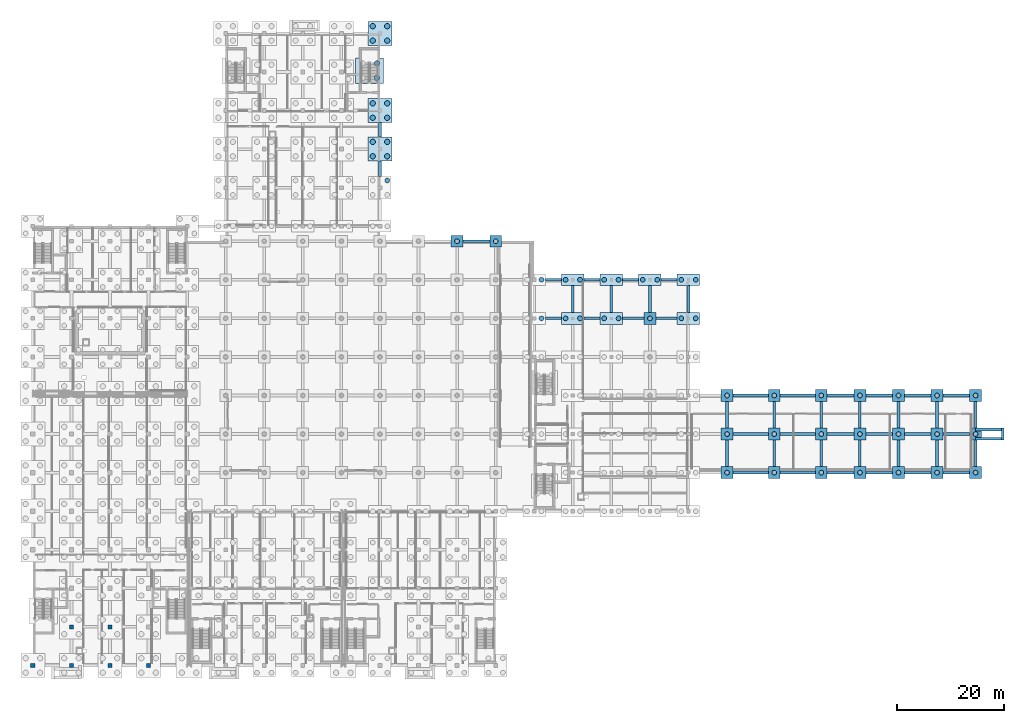
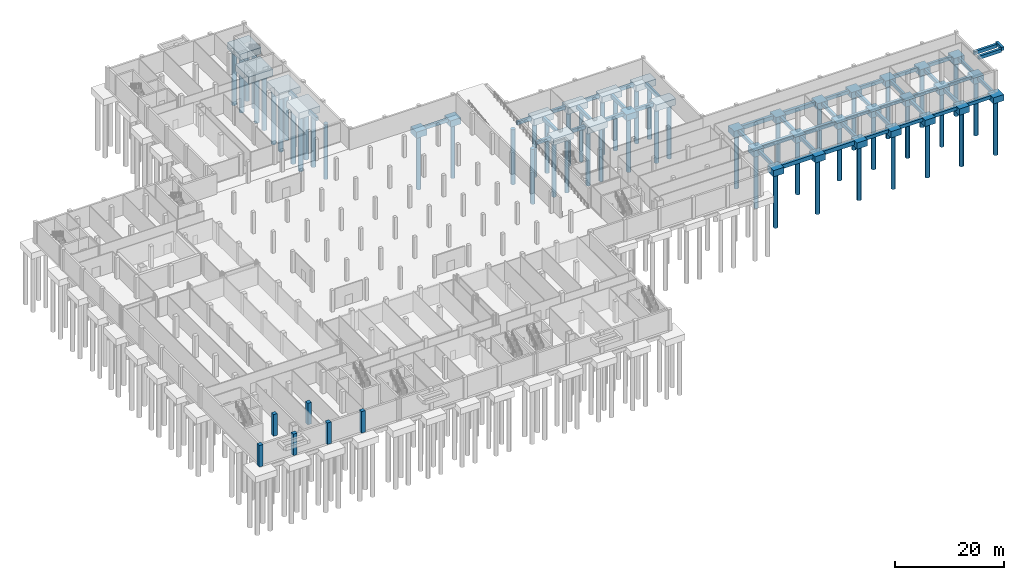
# One storey, part 8 of 35: 85 footings, 55 piles, 6 columns.
"""IFC4 building model written with IfcOpenShell, lengths in metres."""

from ifc_helpers import new_model, si_unit, direction, frame, origin, origin_2d, place, context, subcontext, project, spatial, rectangle, circle, extrude, material, material_profile, profile_set, type_object, element, save


model = new_model("IFC4")

# Units and contexts
model_context = context("Model", 3, precision=1e-05, world=origin(), true_north=direction((0.0, 1.0)))
body_context = subcontext(model_context, "Body", "Model", "MODEL_VIEW")
ifc_project = project(units=[si_unit("LENGTHUNIT", "METRE"), si_unit("AREAUNIT", "SQUARE_METRE"), si_unit("VOLUMEUNIT", "CUBIC_METRE"), si_unit("PLANEANGLEUNIT", "RADIAN"), si_unit("MASSUNIT", "GRAM", prefix="KILO")], contexts=[model_context])

# Site, building, storey
site_placement = place(None, origin())
site = spatial("IfcSite", under=ifc_project, at=site_placement, CompositionType="ELEMENT")
building_placement = place(site_placement, origin())
building = spatial("IfcBuilding", under=site, at=building_placement, Name="Zarrinpeak Specialist Clinic", CompositionType="ELEMENT")
storey_placement = place(building_placement, frame((0.0, 0.0, -4.800048828125)))
storey = spatial("IfcBuildingStorey", under=building, at=storey_placement, Name="B01", CompositionType="ELEMENT", Elevation=-4.800048828125)

# Footings
ifc_material = material(Name="Concrete C40/50", Category="concrete")
ifc_material_profile_1 = material_profile(ifc_material, rectangle(XDim=0.5, YDim=0.75, at=origin_2d()), Name="RC 500x750")
ifc_profile_set_1 = profile_set([ifc_material_profile_1], Name="Concrete C40/50")
footing_type_1 = type_object("IfcFootingType", Name="FT-GB1", PredefinedType="FOOTING_BEAM", material=ifc_profile_set_1)
for number, where, z_axis, x_axis, name in (
    (1, (148.300048828125, 36.0, -0.77490234375), (1.0, 0.0, 0.0), (0.0, 1.0, 0.0), "Continuous Ground Tie Beam GB-076"),
    (2, (155.5, 36.0, -0.77490234375), (1.0, 0.0, 0.0), (0.0, 1.0, 0.0), "Continuous Ground Tie Beam GB-077"),
    (3, (162.699951171875, 36.0, -0.77490234375), (1.0, 0.0, 0.0), (0.0, 1.0, 0.0), "Continuous Ground Tie Beam GB-078"),
    (4, (169.89990234375, 36.0, -0.77490234375), (1.0, 0.0, 0.0), (0.0, 1.0, 0.0), "Continuous Ground Tie Beam GB-079"),
    (5, (148.300048828125, 43.199951171875, -0.77490234375), (1.0, 0.0, 0.0), (0.0, 1.0, 0.0), "Continuous Ground Tie Beam GB-100"),
    (6, (155.5, 43.199951171875, -0.77490234375), (1.0, 0.0, 0.0), (0.0, 1.0, 0.0), "Continuous Ground Tie Beam GB-101"),
    (7, (162.699951171875, 43.199951171875, -0.77490234375), (1.0, 0.0, 0.0), (0.0, 1.0, 0.0), "Continuous Ground Tie Beam GB-102"),
    (8, (169.89990234375, 43.199951171875, -0.77490234375), (1.0, 0.0, 0.0), (0.0, 1.0, 0.0), "Continuous Ground Tie Beam GB-103"),
    (9, (148.300048828125, 50.39990234375, -0.77490234375), (1.0, 0.0, 0.0), (0.0, 1.0, 0.0), "Continuous Ground Tie Beam GB-117"),
    (10, (155.5, 50.39990234375, -0.77490234375), (1.0, 0.0, 0.0), (0.0, 1.0, 0.0), "Continuous Ground Tie Beam GB-118"),
    (11, (162.699951171875, 50.39990234375, -0.77490234375), (1.0, 0.0, 0.0), (0.0, 1.0, 0.0), "Continuous Ground Tie Beam GB-119"),
    (12, (169.89990234375, 50.39990234375, -0.77490234375), (1.0, 0.0, 0.0), (0.0, 1.0, 0.0), "Continuous Ground Tie Beam GB-120"),
):
    element("IfcFooting", number, at=place(storey_placement, frame(where, z_axis=z_axis, x_axis=x_axis)), inside=storey, type_object=footing_type_1, Name=name, PredefinedType="FOOTING_BEAM", context=body_context, shape_type="SweptSolid", body=[
        extrude(rectangle(XDim=0.5, YDim=0.75, at=origin_2d()), origin(), (0.0, 0.0, 1.0), 5.0),
    ])
for number, where, z_axis, x_axis, name in (
    (13, (95.699951171875, 64.800048828125, -0.77490234375), (1.0, 0.0, 0.0), (0.0, 1.0, 0.0), "Continuous Ground Tie Beam GB-155"),
    (14, (102.89990234375, 64.800048828125, -0.77490234375), (1.0, 0.0, 0.0), (0.0, 1.0, 0.0), "Continuous Ground Tie Beam GB-156"),
):
    element("IfcFooting", number, at=place(storey_placement, frame(where, z_axis=z_axis, x_axis=x_axis)), inside=storey, type_object=footing_type_1, Name=name, PredefinedType="FOOTING_BEAM", context=body_context, shape_type="SweptSolid", body=[
        extrude(rectangle(XDim=0.5, YDim=0.75, at=origin_2d()), origin(), (0.0, 0.0, 1.0), 3.0),
    ])
for number, where, z_axis, x_axis, name in (
    (15, (110.10009765625, 64.800048828125, -0.77490234375), (1.0, 0.0, 0.0), (0.0, 1.0, 0.0), "Continuous Ground Tie Beam GB-157"),
    (16, (116.300048828125, 64.800048828125, -0.77490234375), (1.0, 0.0, 0.0), (0.0, 1.0, 0.0), "Continuous Ground Tie Beam GB-158"),
):
    element("IfcFooting", number, at=place(storey_placement, frame(where, z_axis=z_axis, x_axis=x_axis)), inside=storey, type_object=footing_type_1, Name=name, PredefinedType="FOOTING_BEAM", context=body_context, shape_type="SweptSolid", body=[
        extrude(rectangle(XDim=0.5, YDim=0.75, at=origin_2d()), origin(), (0.0, 0.0, 1.0), 4.0),
    ])
for number, where, z_axis, x_axis, name in (
    (17, (95.699951171875, 72.0, -0.77490234375), (1.0, 0.0, 0.0), (0.0, 1.0, 0.0), "Continuous Ground Tie Beam GB-172"),
    (18, (102.89990234375, 72.0, -0.77490234375), (1.0, 0.0, 0.0), (0.0, 1.0, 0.0), "Continuous Ground Tie Beam GB-173"),
    (19, (110.10009765625, 72.0, -0.77490234375), (1.0, 0.0, 0.0), (0.0, 1.0, 0.0), "Continuous Ground Tie Beam GB-174"),
    (20, (117.300048828125, 72.0, -0.77490234375), (1.0, 0.0, 0.0), (0.0, 1.0, 0.0), "Continuous Ground Tie Beam GB-175"),
):
    element("IfcFooting", number, at=place(storey_placement, frame(where, z_axis=z_axis, x_axis=x_axis)), inside=storey, type_object=footing_type_1, Name=name, PredefinedType="FOOTING_BEAM", context=body_context, shape_type="SweptSolid", body=[
        extrude(rectangle(XDim=0.5, YDim=0.75, at=origin_2d()), origin(), (0.0, 0.0, 1.0), 3.0),
    ])
footing_1_placement = place(storey_placement, frame((80.300048828125, 79.199951171875, -0.77490234375), z_axis=(1.0, 0.0, 0.0), x_axis=(0.0, 1.0, 0.0)))
element("IfcFooting", 21, at=footing_1_placement, inside=storey, type_object=footing_type_1, Name="Continuous Ground Tie Beam GB-184", PredefinedType="FOOTING_BEAM", context=body_context, shape_type="SweptSolid", body=[
    extrude(rectangle(XDim=0.5, YDim=0.75, at=origin_2d()), origin(), (0.0, 0.0, 1.0), 5.0),
])
footing_2_placement = place(storey_placement, frame((64.800048828125, 91.300048828125, -0.77490234375), z_axis=(0.0, 1.0, 0.0), x_axis=(-1.0, 0.0, 0.0)))
element("IfcFooting", 22, at=footing_2_placement, inside=storey, type_object=footing_type_1, Name="Continuous Ground Tie Beam GB-323", PredefinedType="FOOTING_BEAM", context=body_context, shape_type="SweptSolid", body=[
    extrude(rectangle(XDim=0.5, YDim=0.75, at=origin_2d()), origin(), (0.0, 0.0, 1.0), 2.849853515625),
])
footing_3_placement = place(storey_placement, frame((64.800048828125, 98.64990234375, -0.77490234375), z_axis=(0.0, 1.0, 0.0), x_axis=(-1.0, 0.0, 0.0)))
element("IfcFooting", 23, at=footing_3_placement, inside=storey, type_object=footing_type_1, Name="Continuous Ground Tie Beam GB-324", PredefinedType="FOOTING_BEAM", context=body_context, shape_type="SweptSolid", body=[
    extrude(rectangle(XDim=0.5, YDim=0.75, at=origin_2d()), origin(), (0.0, 0.0, 1.0), 2.7001953125),
])
for number, where, z_axis, x_axis, name in (
    (24, (100.800048828125, 65.89990234375, -0.77490234375), (0.0, 1.0, 0.0), (-1.0, 0.0, 0.0), "Continuous Ground Tie Beam GB-363"),
    (25, (108.0, 65.89990234375, -0.77490234375), (0.0, 1.0, 0.0), (-1.0, 0.0, 0.0), "Continuous Ground Tie Beam GB-369"),
    (26, (115.199951171875, 65.89990234375, -0.77490234375), (0.0, 1.0, 0.0), (-1.0, 0.0, 0.0), "Continuous Ground Tie Beam GB-375"),
    (27, (122.39990234375, 65.89990234375, -0.77490234375), (0.0, 1.0, 0.0), (-1.0, 0.0, 0.0), "Continuous Ground Tie Beam GB-381"),
    (28, (129.60009765625, 37.10009765625, -0.77490234375), (0.0, 1.0, 0.0), (-1.0, 0.0, 0.0), "Continuous Ground Tie Beam GB-382"),
    (29, (129.60009765625, 44.300048828125, -0.77490234375), (0.0, 1.0, 0.0), (-1.0, 0.0, 0.0), "Continuous Ground Tie Beam GB-383"),
    (30, (138.39990234375, 37.10009765625, -0.77490234375), (0.0, 1.0, 0.0), (-1.0, 0.0, 0.0), "Continuous Ground Tie Beam GB-384"),
    (31, (138.39990234375, 44.300048828125, -0.77490234375), (0.0, 1.0, 0.0), (-1.0, 0.0, 0.0), "Continuous Ground Tie Beam GB-385"),
    (32, (147.199951171875, 37.10009765625, -0.77490234375), (0.0, 1.0, 0.0), (-1.0, 0.0, 0.0), "Continuous Ground Tie Beam GB-386"),
    (33, (147.199951171875, 44.300048828125, -0.77490234375), (0.0, 1.0, 0.0), (-1.0, 0.0, 0.0), "Continuous Ground Tie Beam GB-387"),
    (34, (154.39990234375, 37.10009765625, -0.77490234375), (0.0, 1.0, 0.0), (-1.0, 0.0, 0.0), "Continuous Ground Tie Beam GB-388"),
    (35, (154.39990234375, 44.300048828125, -0.77490234375), (0.0, 1.0, 0.0), (-1.0, 0.0, 0.0), "Continuous Ground Tie Beam GB-389"),
    (36, (161.60009765625, 37.10009765625, -0.77490234375), (0.0, 1.0, 0.0), (-1.0, 0.0, 0.0), "Continuous Ground Tie Beam GB-390"),
    (37, (161.60009765625, 44.300048828125, -0.77490234375), (0.0, 1.0, 0.0), (-1.0, 0.0, 0.0), "Continuous Ground Tie Beam GB-391"),
    (38, (168.800048828125, 37.10009765625, -0.77490234375), (0.0, 1.0, 0.0), (-1.0, 0.0, 0.0), "Continuous Ground Tie Beam GB-392"),
    (39, (168.800048828125, 44.300048828125, -0.77490234375), (0.0, 1.0, 0.0), (-1.0, 0.0, 0.0), "Continuous Ground Tie Beam GB-393"),
    (40, (176.0, 37.10009765625, -0.77490234375), (0.0, 1.0, 0.0), (-1.0, 0.0, 0.0), "Continuous Ground Tie Beam GB-394"),
    (41, (176.0, 44.300048828125, -0.77490234375), (0.0, 1.0, 0.0), (-1.0, 0.0, 0.0), "Continuous Ground Tie Beam GB-395"),
):
    element("IfcFooting", number, at=place(storey_placement, frame(where, z_axis=z_axis, x_axis=x_axis)), inside=storey, type_object=footing_type_1, Name=name, PredefinedType="FOOTING_BEAM", context=body_context, shape_type="SweptSolid", body=[
        extrude(rectangle(XDim=0.5, YDim=0.75, at=origin_2d()), origin(), (0.0, 0.0, 1.0), 5.0),
    ])
footing_4_placement = place(storey_placement, frame((181.050048828125, 42.10009765625, 4.025146484375), z_axis=(0.0, 1.0, 0.0), x_axis=(-1.0, 0.0, 0.0)))
element("IfcFooting", 42, at=footing_4_placement, inside=storey, type_object=footing_type_1, Name="Accessible Ramp Tie Footing Beam GB-R-ACC4", PredefinedType="FOOTING_BEAM", context=body_context, shape_type="SweptSolid", body=[
    extrude(rectangle(XDim=0.5, YDim=0.75, at=origin_2d()), origin(), (0.0, 0.0, 1.0), 2.199951171875),
])
for number, where, z_axis, x_axis, name in (
    (43, (176.0, 42.35009765625, 3.72509765625), (1.0, 0.0, 0.0), (0.0, 1.0, 0.0), "Accessible Ramp Tie Footing Beam GB-R-ACC4-S"),
    (44, (176.0, 44.050048828125, 3.72509765625), (1.0, 0.0, 0.0), (0.0, 1.0, 0.0), "Accessible Ramp Tie Footing Beam GB-R-ACC4-N"),
):
    element("IfcFooting", number, at=place(storey_placement, frame(where, z_axis=z_axis, x_axis=x_axis)), inside=storey, type_object=footing_type_1, Name=name, PredefinedType="FOOTING_BEAM", context=body_context, shape_type="SweptSolid", body=[
        extrude(rectangle(XDim=0.5, YDim=0.75, at=origin_2d()), origin(), (0.0, 0.0, 1.0), 4.800048828125),
    ])
ifc_material_profile_2 = material_profile(ifc_material, rectangle(XDim=0.60009765625, YDim=0.89990234375, at=origin_2d()), Name="RC 600x900")
ifc_profile_set_2 = profile_set([ifc_material_profile_2], Name="Concrete C40/50")
footing_type_2 = type_object("IfcFootingType", Name="FT-GB2", PredefinedType="FOOTING_BEAM", material=ifc_profile_set_2)
for number, where, z_axis, x_axis, name in (
    (45, (130.699951171875, 36.0, -0.849853515625), (1.0, 0.0, 0.0), (0.0, 1.0, 0.0), "Continuous Ground Tie Beam GB-074"),
    (46, (139.5, 36.0, -0.849853515625), (1.0, 0.0, 0.0), (0.0, 1.0, 0.0), "Continuous Ground Tie Beam GB-075"),
    (47, (130.699951171875, 43.199951171875, -0.849853515625), (1.0, 0.0, 0.0), (0.0, 1.0, 0.0), "Continuous Ground Tie Beam GB-098"),
    (48, (139.5, 43.199951171875, -0.849853515625), (1.0, 0.0, 0.0), (0.0, 1.0, 0.0), "Continuous Ground Tie Beam GB-099"),
    (49, (130.699951171875, 50.39990234375, -0.849853515625), (1.0, 0.0, 0.0), (0.0, 1.0, 0.0), "Continuous Ground Tie Beam GB-115"),
    (50, (139.5, 50.39990234375, -0.849853515625), (1.0, 0.0, 0.0), (0.0, 1.0, 0.0), "Continuous Ground Tie Beam GB-116"),
):
    element("IfcFooting", number, at=place(storey_placement, frame(where, z_axis=z_axis, x_axis=x_axis)), inside=storey, type_object=footing_type_2, Name=name, PredefinedType="FOOTING_BEAM", context=body_context, shape_type="SweptSolid", body=[
        extrude(rectangle(XDim=0.60009765625, YDim=0.89990234375, at=origin_2d()), origin(), (0.0, 0.0, 1.0), 6.60009765625),
    ])
footing_type_3 = type_object("IfcFootingType", Name="FT-PC1", PredefinedType="PILE_CAP", material=ifc_material)
for number, where, z_axis, x_axis, name in (
    (51, (79.199951171875, 79.199951171875, -1.7998046875), (0.0, 0.0, 1.0), (1.0, 0.0, 0.0), "Combined Pile Cap CAP-167 (B01-C1)"),
    (52, (86.39990234375, 79.199951171875, -1.7998046875), (0.0, 0.0, 1.0), (1.0, 0.0, 0.0), "Combined Pile Cap CAP-178 (B01-C1)"),
    (53, (115.199951171875, 64.800048828125, -1.7998046875), (0.0, 0.0, 1.0), (1.0, 0.0, 0.0), "Combined Pile Cap CAP-203 (V3)"),
    (54, (129.60009765625, 36.0, -1.7998046875), (0.0, 0.0, 1.0), (1.0, 0.0, 0.0), "Combined Pile Cap CAP-212 (B01-C2)"),
    (55, (129.60009765625, 43.199951171875, -1.7998046875), (0.0, 0.0, 1.0), (1.0, 0.0, 0.0), "Combined Pile Cap CAP-213 (B01-C2)"),
    (56, (129.60009765625, 50.39990234375, -1.7998046875), (0.0, 0.0, 1.0), (1.0, 0.0, 0.0), "Combined Pile Cap CAP-214 (B01-C2)"),
    (57, (138.39990234375, 36.0, -1.7998046875), (0.0, 0.0, 1.0), (1.0, 0.0, 0.0), "Combined Pile Cap CAP-215 (B01-C2)"),
    (58, (138.39990234375, 43.199951171875, -1.7998046875), (0.0, 0.0, 1.0), (1.0, 0.0, 0.0), "Combined Pile Cap CAP-216 (B01-C2)"),
    (59, (138.39990234375, 50.39990234375, -1.7998046875), (0.0, 0.0, 1.0), (1.0, 0.0, 0.0), "Combined Pile Cap CAP-217 (B01-C2)"),
    (60, (147.199951171875, 36.0, -1.7998046875), (0.0, 0.0, 1.0), (1.0, 0.0, 0.0), "Combined Pile Cap CAP-218 (B01-C2)"),
    (61, (147.199951171875, 43.199951171875, -1.7998046875), (0.0, 0.0, 1.0), (1.0, 0.0, 0.0), "Combined Pile Cap CAP-219 (B01-C2)"),
    (62, (147.199951171875, 50.39990234375, -1.7998046875), (0.0, 0.0, 1.0), (1.0, 0.0, 0.0), "Combined Pile Cap CAP-220 (B01-C2)"),
    (63, (154.39990234375, 36.0, -1.7998046875), (0.0, 0.0, 1.0), (1.0, 0.0, 0.0), "Combined Pile Cap CAP-221 (B01-C2)"),
    (64, (154.39990234375, 43.199951171875, -1.7998046875), (0.0, 0.0, 1.0), (1.0, 0.0, 0.0), "Combined Pile Cap CAP-222 (B01-C2)"),
    (65, (154.39990234375, 50.39990234375, -1.7998046875), (0.0, 0.0, 1.0), (1.0, 0.0, 0.0), "Combined Pile Cap CAP-223 (B01-C2)"),
    (66, (161.60009765625, 36.0, -1.7998046875), (0.0, 0.0, 1.0), (1.0, 0.0, 0.0), "Combined Pile Cap CAP-224 (B01-C2)"),
    (67, (161.60009765625, 43.199951171875, -1.7998046875), (0.0, 0.0, 1.0), (1.0, 0.0, 0.0), "Combined Pile Cap CAP-225 (B01-C2)"),
    (68, (161.60009765625, 50.39990234375, -1.7998046875), (0.0, 0.0, 1.0), (1.0, 0.0, 0.0), "Combined Pile Cap CAP-226 (B01-C2)"),
    (69, (168.800048828125, 36.0, -1.7998046875), (0.0, 0.0, 1.0), (1.0, 0.0, 0.0), "Combined Pile Cap CAP-227 (B01-C2)"),
    (70, (168.800048828125, 43.199951171875, -1.7998046875), (0.0, 0.0, 1.0), (1.0, 0.0, 0.0), "Combined Pile Cap CAP-228 (B01-C2)"),
    (71, (168.800048828125, 50.39990234375, -1.7998046875), (0.0, 0.0, 1.0), (1.0, 0.0, 0.0), "Combined Pile Cap CAP-229 (B01-C2)"),
    (72, (176.0, 36.0, -1.7998046875), (0.0, 0.0, 1.0), (1.0, 0.0, 0.0), "Combined Pile Cap CAP-230 (B01-C2)"),
    (73, (176.0, 43.199951171875, -1.7998046875), (0.0, 0.0, 1.0), (1.0, 0.0, 0.0), "Combined Pile Cap CAP-231 (B01-C2)"),
    (74, (176.0, 50.39990234375, -1.7998046875), (0.0, 0.0, 1.0), (1.0, 0.0, 0.0), "Combined Pile Cap CAP-232 (B01-C2)"),
):
    element("IfcFooting", number, at=place(storey_placement, frame(where, z_axis=z_axis, x_axis=x_axis)), inside=storey, type_object=footing_type_3, Name=name, PredefinedType="PILE_CAP", context=body_context, shape_type="SweptSolid", body=[
        extrude(rectangle(XDim=2.199951171875, YDim=2.199951171875, at=origin_2d()), origin(), (0.0, 0.0, 1.0), 1.39990234375),
    ])
footing_type_4 = type_object("IfcFootingType", Name="FT-PC2", PredefinedType="PILE_CAP", material=ifc_material)
for number, where, z_axis, x_axis, name in (
    (75, (100.800048828125, 64.800048828125, -1.7998046875), (0.0, 0.0, 1.0), (1.0, 0.0, 0.0), "Combined Pile Cap CAP-189 (V3)"),
    (76, (100.800048828125, 72.0, -1.7998046875), (0.0, 0.0, 1.0), (1.0, 0.0, 0.0), "Combined Pile Cap CAP-190 (V3)"),
    (77, (108.0, 64.800048828125, -1.7998046875), (0.0, 0.0, 1.0), (1.0, 0.0, 0.0), "Combined Pile Cap CAP-196 (V3)"),
    (78, (108.0, 72.0, -1.7998046875), (0.0, 0.0, 1.0), (1.0, 0.0, 0.0), "Combined Pile Cap CAP-197 (V3)"),
    (79, (115.199951171875, 72.0, -1.7998046875), (0.0, 0.0, 1.0), (1.0, 0.0, 0.0), "Combined Pile Cap CAP-204 (V3)"),
    (80, (122.39990234375, 64.800048828125, -1.7998046875), (0.0, 0.0, 1.0), (1.0, 0.0, 0.0), "Combined Pile Cap CAP-210 (V3)"),
    (81, (122.39990234375, 72.0, -1.7998046875), (0.0, 0.0, 1.0), (1.0, 0.0, 0.0), "Combined Pile Cap CAP-211 (V3)"),
):
    element("IfcFooting", number, at=place(storey_placement, frame(where, z_axis=z_axis, x_axis=x_axis)), inside=storey, type_object=footing_type_4, Name=name, PredefinedType="PILE_CAP", context=body_context, shape_type="SweptSolid", body=[
        extrude(rectangle(XDim=4.199951171875, YDim=2.199951171875, at=origin_2d()), origin(), (0.0, 0.0, 1.0), 1.39990234375),
    ])
footing_type_5 = type_object("IfcFootingType", Name="FT-PC4", PredefinedType="PILE_CAP", material=ifc_material)
for number, where, z_axis, x_axis, name in (
    (82, (64.800048828125, 96.39990234375, -1.7998046875), (0.0, 0.0, 1.0), (1.0, 0.0, 0.0), "Combined Pile Cap CAP-141 (V6)"),
    (83, (64.800048828125, 103.60009765625, -1.7998046875), (0.0, 0.0, 1.0), (1.0, 0.0, 0.0), "Combined Pile Cap CAP-142 (V6)"),
    (84, (64.800048828125, 118.0, -1.7998046875), (0.0, 0.0, 1.0), (1.0, 0.0, 0.0), "Combined Pile Cap CAP-143 (V6)"),
):
    element("IfcFooting", number, at=place(storey_placement, frame(where, z_axis=z_axis, x_axis=x_axis)), inside=storey, type_object=footing_type_5, Name=name, PredefinedType="PILE_CAP", context=body_context, shape_type="SweptSolid", body=[
        extrude(rectangle(XDim=4.5, YDim=4.5, at=origin_2d()), origin(), (0.0, 0.0, 1.0), 1.39990234375),
    ])
footing_type_6 = type_object("IfcFootingType", Name="FT-PC6", PredefinedType="PILE_CAP", material=ifc_material)
footing_5_placement = place(storey_placement, frame((62.875, 111.050048828125, -1.89990234375), z_axis=(0.0, 0.0, 1.0), x_axis=(1.0, 0.0, 0.0)))
element("IfcFooting", 85, at=footing_5_placement, inside=storey, type_object=footing_type_6, Name="Core Combined Pile Cap CAP-CORE-12", PredefinedType="PILE_CAP", context=body_context, shape_type="SweptSolid", body=[
    extrude(rectangle(XDim=5.199951171875, YDim=4.800048828125, at=origin_2d()), origin(), (0.0, 0.0, 1.0), 1.5),
])

# Piles
ifc_material_profile_3 = material_profile(ifc_material, circle(Radius=0.5, at=origin_2d()), Name="BORED PILE D1000")
ifc_profile_set_3 = profile_set([ifc_material_profile_3], Name="Concrete C40/50")
pile_type_1 = type_object("IfcPileType", Name="PL-D1000", PredefinedType="BORED", material=ifc_profile_set_3)
for number, where, z_axis, x_axis, name in (
    (86, (63.449951171875, 95.050048828125, -1.699951171875), (0.0, 0.0, -1.0), (1.0, 0.0, 0.0), "Bored Foundation Pile FP-141-1"),
    (87, (66.14990234375, 95.050048828125, -1.699951171875), (0.0, 0.0, -1.0), (1.0, 0.0, 0.0), "Bored Foundation Pile FP-141-2"),
    (88, (63.449951171875, 97.75, -1.699951171875), (0.0, 0.0, -1.0), (1.0, 0.0, 0.0), "Bored Foundation Pile FP-141-3"),
    (89, (66.14990234375, 97.75, -1.699951171875), (0.0, 0.0, -1.0), (1.0, 0.0, 0.0), "Bored Foundation Pile FP-141-4"),
    (90, (63.449951171875, 102.25, -1.699951171875), (0.0, 0.0, -1.0), (1.0, 0.0, 0.0), "Bored Foundation Pile FP-142-1"),
    (91, (66.14990234375, 102.25, -1.699951171875), (0.0, 0.0, -1.0), (1.0, 0.0, 0.0), "Bored Foundation Pile FP-142-2"),
    (92, (63.449951171875, 104.949951171875, -1.699951171875), (0.0, 0.0, -1.0), (1.0, 0.0, 0.0), "Bored Foundation Pile FP-142-3"),
    (93, (66.14990234375, 104.949951171875, -1.699951171875), (0.0, 0.0, -1.0), (1.0, 0.0, 0.0), "Bored Foundation Pile FP-142-4"),
    (94, (63.449951171875, 116.64990234375, -1.699951171875), (0.0, 0.0, -1.0), (1.0, 0.0, 0.0), "Bored Foundation Pile FP-143-1"),
    (95, (66.14990234375, 116.64990234375, -1.699951171875), (0.0, 0.0, -1.0), (1.0, 0.0, 0.0), "Bored Foundation Pile FP-143-2"),
    (96, (63.449951171875, 119.35009765625, -1.699951171875), (0.0, 0.0, -1.0), (1.0, 0.0, 0.0), "Bored Foundation Pile FP-143-3"),
    (97, (66.14990234375, 119.35009765625, -1.699951171875), (0.0, 0.0, -1.0), (1.0, 0.0, 0.0), "Bored Foundation Pile FP-143-4"),
):
    element("IfcPile", number, at=place(storey_placement, frame(where, z_axis=z_axis, x_axis=x_axis)), inside=storey, type_object=pile_type_1, Name=name, PredefinedType="BORED", context=body_context, shape_type="SweptSolid", body=[
        extrude(circle(Radius=0.5, at=origin_2d()), origin(), (0.0, 0.0, 1.0), 12.300048828125),
    ])
for number, where, z_axis, x_axis, name in (
    (98, (64.22509765625, 109.699951171875, -1.800048828125), (0.0, 0.0, -1.0), (1.0, 0.0, 0.0), "Core Bored Pile FP-CORE-12-2"),
    (99, (64.22509765625, 112.39990234375, -1.800048828125), (0.0, 0.0, -1.0), (1.0, 0.0, 0.0), "Core Bored Pile FP-CORE-12-4"),
):
    element("IfcPile", number, at=place(storey_placement, frame(where, z_axis=z_axis, x_axis=x_axis)), inside=storey, type_object=pile_type_1, Name=name, PredefinedType="BORED", context=body_context, shape_type="SweptSolid", body=[
        extrude(circle(Radius=0.5, at=origin_2d()), origin(), (0.0, 0.0, 1.0), 12.199951171875),
    ])
ifc_material_profile_4 = material_profile(ifc_material, circle(Radius=0.449951171875, at=origin_2d()), Name="BORED PILE D900")
ifc_profile_set_4 = profile_set([ifc_material_profile_4], Name="Concrete C40/50")
pile_type_2 = type_object("IfcPileType", Name="PL-D900", PredefinedType="BORED", material=ifc_profile_set_4)
for number, where, z_axis, x_axis, name in (
    (100, (66.14990234375, 90.550048828125, -1.699951171875), (0.0, 0.0, -1.0), (1.0, 0.0, 0.0), "Bored Foundation Pile FP-140-4"),
    (101, (79.199951171875, 79.199951171875, -1.699951171875), (0.0, 0.0, -1.0), (1.0, 0.0, 0.0), "Bored Foundation Pile FP-167-1"),
    (102, (86.39990234375, 79.199951171875, -1.699951171875), (0.0, 0.0, -1.0), (1.0, 0.0, 0.0), "Bored Foundation Pile FP-178-1"),
    (103, (94.949951171875, 64.800048828125, -1.699951171875), (0.0, 0.0, -1.0), (1.0, 0.0, 0.0), "Bored Foundation Pile FP-182-2"),
    (104, (94.949951171875, 72.0, -1.699951171875), (0.0, 0.0, -1.0), (1.0, 0.0, 0.0), "Bored Foundation Pile FP-183-2"),
    (105, (99.449951171875, 64.800048828125, -1.699951171875), (0.0, 0.0, -1.0), (1.0, 0.0, 0.0), "Bored Foundation Pile FP-189-1"),
    (106, (102.14990234375, 64.800048828125, -1.699951171875), (0.0, 0.0, -1.0), (1.0, 0.0, 0.0), "Bored Foundation Pile FP-189-2"),
    (107, (99.449951171875, 72.0, -1.699951171875), (0.0, 0.0, -1.0), (1.0, 0.0, 0.0), "Bored Foundation Pile FP-190-1"),
    (108, (102.14990234375, 72.0, -1.699951171875), (0.0, 0.0, -1.0), (1.0, 0.0, 0.0), "Bored Foundation Pile FP-190-2"),
    (109, (106.64990234375, 64.800048828125, -1.699951171875), (0.0, 0.0, -1.0), (1.0, 0.0, 0.0), "Bored Foundation Pile FP-196-1"),
    (110, (109.35009765625, 64.800048828125, -1.699951171875), (0.0, 0.0, -1.0), (1.0, 0.0, 0.0), "Bored Foundation Pile FP-196-2"),
    (111, (106.64990234375, 72.0, -1.699951171875), (0.0, 0.0, -1.0), (1.0, 0.0, 0.0), "Bored Foundation Pile FP-197-1"),
    (112, (109.35009765625, 72.0, -1.699951171875), (0.0, 0.0, -1.0), (1.0, 0.0, 0.0), "Bored Foundation Pile FP-197-2"),
    (113, (115.199951171875, 64.800048828125, -1.699951171875), (0.0, 0.0, -1.0), (1.0, 0.0, 0.0), "Bored Foundation Pile FP-203-1"),
    (114, (113.85009765625, 72.0, -1.699951171875), (0.0, 0.0, -1.0), (1.0, 0.0, 0.0), "Bored Foundation Pile FP-204-1"),
    (115, (116.550048828125, 72.0, -1.699951171875), (0.0, 0.0, -1.0), (1.0, 0.0, 0.0), "Bored Foundation Pile FP-204-2"),
    (116, (121.050048828125, 64.800048828125, -1.699951171875), (0.0, 0.0, -1.0), (1.0, 0.0, 0.0), "Bored Foundation Pile FP-210-1"),
    (117, (123.75, 64.800048828125, -1.699951171875), (0.0, 0.0, -1.0), (1.0, 0.0, 0.0), "Bored Foundation Pile FP-210-2"),
    (118, (121.050048828125, 72.0, -1.699951171875), (0.0, 0.0, -1.0), (1.0, 0.0, 0.0), "Bored Foundation Pile FP-211-1"),
    (119, (123.75, 72.0, -1.699951171875), (0.0, 0.0, -1.0), (1.0, 0.0, 0.0), "Bored Foundation Pile FP-211-2"),
    (120, (129.60009765625, 36.0, -1.699951171875), (0.0, 0.0, -1.0), (1.0, 0.0, 0.0), "Bored Foundation Pile FP-212-1"),
    (121, (129.60009765625, 43.199951171875, -1.699951171875), (0.0, 0.0, -1.0), (1.0, 0.0, 0.0), "Bored Foundation Pile FP-213-1"),
    (122, (129.60009765625, 50.39990234375, -1.699951171875), (0.0, 0.0, -1.0), (1.0, 0.0, 0.0), "Bored Foundation Pile FP-214-1"),
    (123, (138.39990234375, 36.0, -1.699951171875), (0.0, 0.0, -1.0), (1.0, 0.0, 0.0), "Bored Foundation Pile FP-215-1"),
    (124, (138.39990234375, 43.199951171875, -1.699951171875), (0.0, 0.0, -1.0), (1.0, 0.0, 0.0), "Bored Foundation Pile FP-216-1"),
    (125, (138.39990234375, 50.39990234375, -1.699951171875), (0.0, 0.0, -1.0), (1.0, 0.0, 0.0), "Bored Foundation Pile FP-217-1"),
    (126, (147.199951171875, 36.0, -1.699951171875), (0.0, 0.0, -1.0), (1.0, 0.0, 0.0), "Bored Foundation Pile FP-218-1"),
    (127, (147.199951171875, 43.199951171875, -1.699951171875), (0.0, 0.0, -1.0), (1.0, 0.0, 0.0), "Bored Foundation Pile FP-219-1"),
    (128, (147.199951171875, 50.39990234375, -1.699951171875), (0.0, 0.0, -1.0), (1.0, 0.0, 0.0), "Bored Foundation Pile FP-220-1"),
    (129, (154.39990234375, 36.0, -1.699951171875), (0.0, 0.0, -1.0), (1.0, 0.0, 0.0), "Bored Foundation Pile FP-221-1"),
    (130, (154.39990234375, 43.199951171875, -1.699951171875), (0.0, 0.0, -1.0), (1.0, 0.0, 0.0), "Bored Foundation Pile FP-222-1"),
    (131, (154.39990234375, 50.39990234375, -1.699951171875), (0.0, 0.0, -1.0), (1.0, 0.0, 0.0), "Bored Foundation Pile FP-223-1"),
    (132, (161.60009765625, 36.0, -1.699951171875), (0.0, 0.0, -1.0), (1.0, 0.0, 0.0), "Bored Foundation Pile FP-224-1"),
    (133, (161.60009765625, 43.199951171875, -1.699951171875), (0.0, 0.0, -1.0), (1.0, 0.0, 0.0), "Bored Foundation Pile FP-225-1"),
    (134, (161.60009765625, 50.39990234375, -1.699951171875), (0.0, 0.0, -1.0), (1.0, 0.0, 0.0), "Bored Foundation Pile FP-226-1"),
    (135, (168.800048828125, 36.0, -1.699951171875), (0.0, 0.0, -1.0), (1.0, 0.0, 0.0), "Bored Foundation Pile FP-227-1"),
    (136, (168.800048828125, 43.199951171875, -1.699951171875), (0.0, 0.0, -1.0), (1.0, 0.0, 0.0), "Bored Foundation Pile FP-228-1"),
    (137, (168.800048828125, 50.39990234375, -1.699951171875), (0.0, 0.0, -1.0), (1.0, 0.0, 0.0), "Bored Foundation Pile FP-229-1"),
    (138, (176.0, 36.0, -1.699951171875), (0.0, 0.0, -1.0), (1.0, 0.0, 0.0), "Bored Foundation Pile FP-230-1"),
    (139, (176.0, 43.199951171875, -1.699951171875), (0.0, 0.0, -1.0), (1.0, 0.0, 0.0), "Bored Foundation Pile FP-231-1"),
    (140, (176.0, 50.39990234375, -1.699951171875), (0.0, 0.0, -1.0), (1.0, 0.0, 0.0), "Bored Foundation Pile FP-232-1"),
):
    element("IfcPile", number, at=place(storey_placement, frame(where, z_axis=z_axis, x_axis=x_axis)), inside=storey, type_object=pile_type_2, Name=name, PredefinedType="BORED", context=body_context, shape_type="SweptSolid", body=[
        extrude(circle(Radius=0.449951171875, at=origin_2d()), origin(), (0.0, 0.0, 1.0), 12.300048828125),
    ])

# Columns
ifc_material_profile_5 = material_profile(ifc_material, rectangle(XDim=0.800048828125, YDim=0.800048828125, at=origin_2d()), Name="RC 800x800")
ifc_profile_set_5 = profile_set([ifc_material_profile_5], Name="Concrete C40/50")
column_type = type_object("IfcColumnType", Name="COL-RC800", PredefinedType="COLUMN", material=ifc_profile_set_5)
for number, where, z_axis, x_axis, name in (
    (141, (0.0, 0.0, 0.0), (0.0, 0.0, 1.0), (1.0, 0.0, 0.0), "B01 Structural Column COL-B01-001"),
    (142, (7.199951171875, 0.0, 0.0), (0.0, 0.0, 1.0), (1.0, 0.0, 0.0), "B01 Structural Column COL-B01-012"),
    (143, (7.199951171875, 7.199951171875, 0.0), (0.0, 0.0, 1.0), (1.0, 0.0, 0.0), "B01 Structural Column COL-B01-013"),
    (144, (14.39990234375, 0.0, 0.0), (0.0, 0.0, 1.0), (1.0, 0.0, 0.0), "B01 Structural Column COL-B01-026"),
    (145, (14.39990234375, 7.199951171875, 0.0), (0.0, 0.0, 1.0), (1.0, 0.0, 0.0), "B01 Structural Column COL-B01-027"),
    (146, (21.60009765625, 0.0, 0.0), (0.0, 0.0, 1.0), (1.0, 0.0, 0.0), "B01 Structural Column COL-B01-040"),
):
    element("IfcColumn", number, at=place(storey_placement, frame(where, z_axis=z_axis, x_axis=x_axis)), inside=storey, type_object=column_type, Name=name, PredefinedType="COLUMN", context=body_context, shape_type="SweptSolid", body=[
        extrude(rectangle(XDim=0.800048828125, YDim=0.800048828125, at=origin_2d()), origin(), (0.0, 0.0, 1.0), 4.800048828125),
    ])

save(model, "model.ifc")
